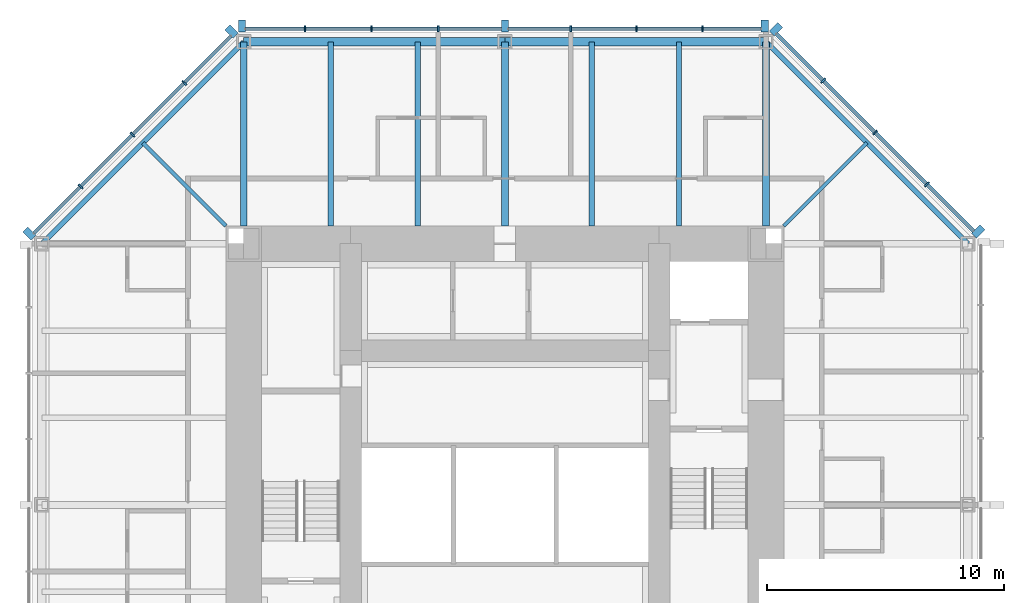
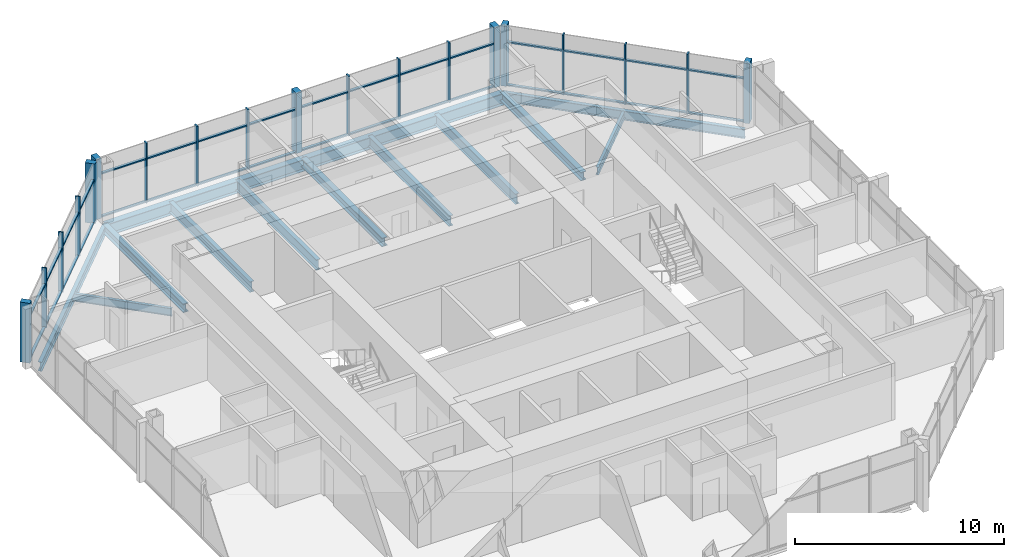
# One storey, part 5 of 11: 51 members, 13 beams, 3 elements without a shape of their own.
"""IFC4 building model written with IfcOpenShell, lengths in metres."""

from ifc_helpers import new_model, si_unit, direction, frame, origin, origin_2d, place, context, subcontext, project, spatial, rectangle, i_section, extrude, material, material_profile, profile_set, type_object, element, aggregate, save


model = new_model("IFC4")

# Units and contexts
model_context = context("Model", 3, precision=1e-05, world=origin(), true_north=direction((0.0, 1.0)))
body_context = subcontext(model_context, "Body", "Model", "MODEL_VIEW")
ifc_project = project(units=[si_unit("LENGTHUNIT", "METRE"), si_unit("AREAUNIT", "SQUARE_METRE"), si_unit("VOLUMEUNIT", "CUBIC_METRE"), si_unit("PLANEANGLEUNIT", "RADIAN"), si_unit("MASSUNIT", "GRAM", prefix="KILO")], contexts=[model_context])

# Site, building, storey
site_placement = place(None, origin())
site = spatial("IfcSite", under=ifc_project, at=site_placement, CompositionType="ELEMENT")
building_placement = place(site_placement, origin())
building = spatial("IfcBuilding", under=site, at=building_placement, Name="Trevanion Tower", CompositionType="ELEMENT")
storey_placement = place(building_placement, frame((0.0, 0.0, 215.199951171875)))
storey = spatial("IfcBuildingStorey", under=building, at=storey_placement, Name="L51", CompositionType="ELEMENT", Elevation=215.199951171875)

# Beams
ifc_material_1 = material(Name="Steel ASTM A992 Grade 50", Category="steel")
ifc_material_profile_1 = material_profile(ifc_material_1, i_section(OverallWidth=0.228271484375, OverallDepth=0.607177734375, WebThickness=0.01123046875, FlangeThickness=0.017333984375, at=origin_2d()), Name="W24X76")
ifc_profile_set_1 = profile_set([ifc_material_profile_1], Name="Steel ASTM A992 Grade 50")
beam_type_1 = type_object("IfcBeamType", Name="B11 W24X76", PredefinedType="BEAM", material=ifc_profile_set_1)
for number, where, z_axis, x_axis, name in (
    (1, (7.333251953125, 11.75, -0.493408203125), (0.0, 1.0, 0.0), (-1.0, 0.0, 0.0), "B11 L51"),
    (2, (3.666748046875, 11.75, -0.493408203125), (0.0, 1.0, 0.0), (-1.0, 0.0, 0.0), "B11 L51"),
    (3, (-3.666748046875, 11.75, -0.493408203125), (0.0, 1.0, 0.0), (-1.0, 0.0, 0.0), "B11 L51"),
    (4, (-7.333251953125, 11.75, -0.493408203125), (0.0, 1.0, 0.0), (-1.0, 0.0, 0.0), "B11 L51"),
):
    element("IfcBeam", number, at=place(storey_placement, frame(where, z_axis=z_axis, x_axis=x_axis)), inside=storey, type_object=beam_type_1, Name=name, PredefinedType="BEAM", context=body_context, shape_type="SweptSolid", body=[
        extrude(i_section(OverallWidth=0.228271484375, OverallDepth=0.607177734375, WebThickness=0.01123046875, FlangeThickness=0.017333984375, at=origin_2d()), origin(), (0.0, 0.0, 1.0), 7.75),
    ])
ifc_material_2 = material(Name="Steel ASTM A992 Grade 50", Category="steel")
ifc_material_profile_2 = material_profile(ifc_material_2, i_section(OverallWidth=0.15234375, OverallDepth=0.449462890625, WebThickness=0.007568359375, FlangeThickness=0.0107421875, at=origin_2d()), Name="W18X35")
ifc_profile_set_2 = profile_set([ifc_material_profile_2], Name="Steel ASTM A992 Grade 50")
beam_type_2 = type_object("IfcBeamType", Name="B12 W18X35", PredefinedType="BEAM", material=ifc_profile_set_2)
for number, where, z_axis, x_axis, name in (
    (5, (11.75, 11.75, -0.414794921875), (0.707106781187, 0.707106781187, 0.0), (-0.707106781187, 0.707106781187, 0.0), "B12 L51"),
    (6, (-11.75, 11.75, -0.414794921875), (-0.707106781187, 0.707106781187, 0.0), (-0.707106781187, -0.707106781187, 0.0), "B12 L51"),
):
    element("IfcBeam", number, at=place(storey_placement, frame(where, z_axis=z_axis, x_axis=x_axis)), inside=storey, type_object=beam_type_2, Name=name, PredefinedType="BEAM", context=body_context, shape_type="SweptSolid", body=[
        extrude(i_section(OverallWidth=0.15234375, OverallDepth=0.449462890625, WebThickness=0.007568359375, FlangeThickness=0.0107421875, at=origin_2d()), origin(), (0.0, 0.0, 1.0), 4.94970703125),
    ])

# Curtain wall, members
ifc_material_3 = material(Name="Aluminium and glass", Category="aluminium")
curtain_wall_type = type_object("IfcCurtainWallType", Name="CW3 curtain wall", PredefinedType="USERDEFINED", material=ifc_material_3)
curtain_wall_1_placement = place(storey_placement, origin())
curtain_wall_1 = element("IfcCurtainWall", 7, at=curtain_wall_1_placement, inside=storey, type_object=curtain_wall_type, Name="CW3 L51 1", ObjectType="UNITISED CURTAIN WALL", PredefinedType="USERDEFINED")
ifc_material_4 = material(Name="Aluminium extrusion, anodised bronze", Category="aluminium")
ifc_material_profile_3 = material_profile(ifc_material_4, rectangle(XDim=0.074951171875, YDim=0.25, at=origin_2d()), Name="CW3 mullion")
ifc_profile_set_3 = profile_set([ifc_material_profile_3], Name="Aluminium extrusion, anodised bronze")
member_type_1 = type_object("IfcMemberType", Name="CW3 mullion", PredefinedType="MULLION", material=ifc_profile_set_3)
member_1_placement = place(storey_placement, frame((17.775390625, 13.502197265625, -0.18994140625), z_axis=(0.0, 0.0, 1.0), x_axis=(-0.707106781187, 0.707106781187, 0.0)))
member_1 = element("IfcMember", 8, at=member_1_placement, type_object=member_type_1, Name="CW3 mullion 2", PredefinedType="MULLION", context=body_context, shape_type="SweptSolid", body=[
    extrude(rectangle(XDim=0.074951171875, YDim=0.25, at=origin_2d()), origin(), (0.0, 0.0, 1.0), 3.5),
])
member_2_placement = place(storey_placement, frame((15.593017578125, 15.684814453125, -0.18994140625), z_axis=(0.0, 0.0, 1.0), x_axis=(-0.707106781187, 0.707106781187, 0.0)))
member_2 = element("IfcMember", 9, at=member_2_placement, type_object=member_type_1, Name="CW3 mullion 3", PredefinedType="MULLION", context=body_context, shape_type="SweptSolid", body=[
    extrude(rectangle(XDim=0.074951171875, YDim=0.25, at=origin_2d()), origin(), (0.0, 0.0, 1.0), 3.5),
])
member_3_placement = place(storey_placement, frame((13.410400390625, 17.867431640625, -0.18994140625), z_axis=(0.0, 0.0, 1.0), x_axis=(-0.707106781187, 0.707106781187, 0.0)))
member_3 = element("IfcMember", 10, at=member_3_placement, type_object=member_type_1, Name="CW3 mullion 4", PredefinedType="MULLION", context=body_context, shape_type="SweptSolid", body=[
    extrude(rectangle(XDim=0.074951171875, YDim=0.25, at=origin_2d()), origin(), (0.0, 0.0, 1.0), 3.5),
])

curtain_wall_2_placement = place(storey_placement, origin())
curtain_wall_2 = element("IfcCurtainWall", 11, at=curtain_wall_2_placement, inside=storey, type_object=curtain_wall_type, Name="CW3 L51 2", ObjectType="UNITISED CURTAIN WALL", PredefinedType="USERDEFINED")
member_4_placement = place(storey_placement, frame((8.323486328125, 20.050048828125, -0.18994140625), z_axis=(0.0, 0.0, 1.0), x_axis=(-1.0, 0.0, 0.0)))
member_4 = element("IfcMember", 12, at=member_4_placement, type_object=member_type_1, Name="CW3 mullion 2", PredefinedType="MULLION", context=body_context, shape_type="SweptSolid", body=[
    extrude(rectangle(XDim=0.074951171875, YDim=0.25, at=origin_2d()), origin(), (0.0, 0.0, 1.0), 3.5),
])
member_5_placement = place(storey_placement, frame((5.548828125, 20.050048828125, -0.18994140625), z_axis=(0.0, 0.0, 1.0), x_axis=(-1.0, 0.0, 0.0)))
member_5 = element("IfcMember", 13, at=member_5_placement, type_object=member_type_1, Name="CW3 mullion 3", PredefinedType="MULLION", context=body_context, shape_type="SweptSolid", body=[
    extrude(rectangle(XDim=0.074951171875, YDim=0.25, at=origin_2d()), origin(), (0.0, 0.0, 1.0), 3.5),
])
member_6_placement = place(storey_placement, frame((2.7744140625, 20.050048828125, -0.18994140625), z_axis=(0.0, 0.0, 1.0), x_axis=(-1.0, 0.0, 0.0)))
member_6 = element("IfcMember", 14, at=member_6_placement, type_object=member_type_1, Name="CW3 mullion 4", PredefinedType="MULLION", context=body_context, shape_type="SweptSolid", body=[
    extrude(rectangle(XDim=0.074951171875, YDim=0.25, at=origin_2d()), origin(), (0.0, 0.0, 1.0), 3.5),
])
member_7_placement = place(storey_placement, frame((-2.806884765625, 20.050048828125, -0.18994140625), z_axis=(0.0, 0.0, 1.0), x_axis=(-1.0, 0.0, 0.0)))
member_7 = element("IfcMember", 15, at=member_7_placement, type_object=member_type_1, Name="CW3 mullion 6", PredefinedType="MULLION", context=body_context, shape_type="SweptSolid", body=[
    extrude(rectangle(XDim=0.074951171875, YDim=0.25, at=origin_2d()), origin(), (0.0, 0.0, 1.0), 3.5),
])
member_8_placement = place(storey_placement, frame((-5.614013671875, 20.050048828125, -0.18994140625), z_axis=(0.0, 0.0, 1.0), x_axis=(-1.0, 0.0, 0.0)))
member_8 = element("IfcMember", 16, at=member_8_placement, type_object=member_type_1, Name="CW3 mullion 7", PredefinedType="MULLION", context=body_context, shape_type="SweptSolid", body=[
    extrude(rectangle(XDim=0.074951171875, YDim=0.25, at=origin_2d()), origin(), (0.0, 0.0, 1.0), 3.5),
])
member_9_placement = place(storey_placement, frame((-8.4208984375, 20.050048828125, -0.18994140625), z_axis=(0.0, 0.0, 1.0), x_axis=(-1.0, 0.0, 0.0)))
member_9 = element("IfcMember", 17, at=member_9_placement, type_object=member_type_1, Name="CW3 mullion 8", PredefinedType="MULLION", context=body_context, shape_type="SweptSolid", body=[
    extrude(rectangle(XDim=0.074951171875, YDim=0.25, at=origin_2d()), origin(), (0.0, 0.0, 1.0), 3.5),
])

curtain_wall_3_placement = place(storey_placement, origin())
curtain_wall_3 = element("IfcCurtainWall", 18, at=curtain_wall_3_placement, inside=storey, type_object=curtain_wall_type, Name="CW3 L51 3", ObjectType="UNITISED CURTAIN WALL", PredefinedType="USERDEFINED")
member_10_placement = place(storey_placement, frame((-13.502197265625, 17.775390625, -0.18994140625), z_axis=(0.0, 0.0, 1.0), x_axis=(-0.707106781187, -0.707106781187, 0.0)))
member_10 = element("IfcMember", 19, at=member_10_placement, type_object=member_type_1, Name="CW3 mullion 2", PredefinedType="MULLION", context=body_context, shape_type="SweptSolid", body=[
    extrude(rectangle(XDim=0.074951171875, YDim=0.25, at=origin_2d()), origin(), (0.0, 0.0, 1.0), 3.5),
])
member_11_placement = place(storey_placement, frame((-15.684814453125, 15.593017578125, -0.18994140625), z_axis=(0.0, 0.0, 1.0), x_axis=(-0.707106781187, -0.707106781187, 0.0)))
member_11 = element("IfcMember", 20, at=member_11_placement, type_object=member_type_1, Name="CW3 mullion 3", PredefinedType="MULLION", context=body_context, shape_type="SweptSolid", body=[
    extrude(rectangle(XDim=0.074951171875, YDim=0.25, at=origin_2d()), origin(), (0.0, 0.0, 1.0), 3.5),
])
member_12_placement = place(storey_placement, frame((-17.867431640625, 13.410400390625, -0.18994140625), z_axis=(0.0, 0.0, 1.0), x_axis=(-0.707106781187, -0.707106781187, 0.0)))
member_12 = element("IfcMember", 21, at=member_12_placement, type_object=member_type_1, Name="CW3 mullion 4", PredefinedType="MULLION", context=body_context, shape_type="SweptSolid", body=[
    extrude(rectangle(XDim=0.074951171875, YDim=0.25, at=origin_2d()), origin(), (0.0, 0.0, 1.0), 3.5),
])

# Member
ifc_material_5 = material(Name="Aluminium extrusion, anodised bronze", Category="aluminium")
ifc_material_profile_4 = material_profile(ifc_material_5, rectangle(XDim=0.300048828125, YDim=0.5, at=origin_2d()), Name="CW3 pier mullion")
ifc_profile_set_4 = profile_set([ifc_material_profile_4], Name="Aluminium extrusion, anodised bronze")
member_type_2 = type_object("IfcMemberType", Name="CW3 pier mullion", PredefinedType="MULLION", material=ifc_profile_set_4)
member_13_placement = place(storey_placement, frame((19.9404296875, 11.51416015625, -0.18994140625), z_axis=(0.0, 0.0, 1.0), x_axis=(-0.707106781187, 0.707106781187, 0.0)))
member_13 = element("IfcMember", 22, at=member_13_placement, type_object=member_type_2, Name="CW3 pier mullion 1", PredefinedType="MULLION", context=body_context, shape_type="SweptSolid", body=[
    extrude(rectangle(XDim=0.300048828125, YDim=0.5, at=origin_2d()), origin(), (0.0, 0.0, 1.0), 3.5),
])

member_14_placement = place(storey_placement, frame((11.42236328125, 20.0322265625, -0.18994140625), z_axis=(0.0, 0.0, 1.0), x_axis=(-0.707106781187, 0.707106781187, 0.0)))
member_14 = element("IfcMember", 23, at=member_14_placement, type_object=member_type_2, Name="CW3 pier mullion 5", PredefinedType="MULLION", context=body_context, shape_type="SweptSolid", body=[
    extrude(rectangle(XDim=0.300048828125, YDim=0.5, at=origin_2d()), origin(), (0.0, 0.0, 1.0), 3.5),
])

member_15_placement = place(storey_placement, frame((10.94775390625, 20.175048828125, -0.18994140625), z_axis=(0.0, 0.0, 1.0), x_axis=(-1.0, 0.0, 0.0)))
member_15 = element("IfcMember", 24, at=member_15_placement, type_object=member_type_2, Name="CW3 pier mullion 1", PredefinedType="MULLION", context=body_context, shape_type="SweptSolid", body=[
    extrude(rectangle(XDim=0.300048828125, YDim=0.5, at=origin_2d()), origin(), (0.0, 0.0, 1.0), 3.5),
])

member_16_placement = place(storey_placement, frame((0.0, 20.175048828125, -0.18994140625), z_axis=(0.0, 0.0, 1.0), x_axis=(-1.0, 0.0, 0.0)))
member_16 = element("IfcMember", 25, at=member_16_placement, type_object=member_type_2, Name="CW3 pier mullion 5", PredefinedType="MULLION", context=body_context, shape_type="SweptSolid", body=[
    extrude(rectangle(XDim=0.300048828125, YDim=0.5, at=origin_2d()), origin(), (0.0, 0.0, 1.0), 3.5),
])

member_17_placement = place(storey_placement, frame((-11.077880859375, 20.175048828125, -0.18994140625), z_axis=(0.0, 0.0, 1.0), x_axis=(-1.0, 0.0, 0.0)))
member_17 = element("IfcMember", 26, at=member_17_placement, type_object=member_type_2, Name="CW3 pier mullion 9", PredefinedType="MULLION", context=body_context, shape_type="SweptSolid", body=[
    extrude(rectangle(XDim=0.300048828125, YDim=0.5, at=origin_2d()), origin(), (0.0, 0.0, 1.0), 3.5),
])

member_18_placement = place(storey_placement, frame((-11.51416015625, 19.9404296875, -0.18994140625), z_axis=(0.0, 0.0, 1.0), x_axis=(-0.707106781187, -0.707106781187, 0.0)))
member_18 = element("IfcMember", 27, at=member_18_placement, type_object=member_type_2, Name="CW3 pier mullion 1", PredefinedType="MULLION", context=body_context, shape_type="SweptSolid", body=[
    extrude(rectangle(XDim=0.300048828125, YDim=0.5, at=origin_2d()), origin(), (0.0, 0.0, 1.0), 3.5),
])

member_19_placement = place(storey_placement, frame((-20.0322265625, 11.42236328125, -0.18994140625), z_axis=(0.0, 0.0, 1.0), x_axis=(-0.707106781187, -0.707106781187, 0.0)))
member_19 = element("IfcMember", 28, at=member_19_placement, type_object=member_type_2, Name="CW3 pier mullion 5", PredefinedType="MULLION", context=body_context, shape_type="SweptSolid", body=[
    extrude(rectangle(XDim=0.300048828125, YDim=0.5, at=origin_2d()), origin(), (0.0, 0.0, 1.0), 3.5),
])

ifc_material_6 = material(Name="Aluminium extrusion, anodised bronze", Category="aluminium")
ifc_material_profile_5 = material_profile(ifc_material_6, rectangle(XDim=0.14990234375, YDim=0.074951171875, at=origin_2d()), Name="CW3 transom")
ifc_profile_set_5 = profile_set([ifc_material_profile_5], Name="Aluminium extrusion, anodised bronze")
member_type_3 = type_object("IfcMemberType", Name="CW3 transom", PredefinedType="USERDEFINED", material=ifc_profile_set_5)
member_20_placement = place(storey_placement, frame((19.745849609375, 11.531982421875, -0.15234375), z_axis=(-0.707106781187, 0.707106781187, 0.0), x_axis=(-0.707106781187, -0.707106781187, 0.0)))
member_20 = element("IfcMember", 29, at=member_20_placement, type_object=member_type_3, Name="CW3 transom 1.1", ObjectType="TRANSOM", PredefinedType="USERDEFINED", context=body_context, shape_type="SweptSolid", body=[
    extrude(rectangle(XDim=0.14990234375, YDim=0.074951171875, at=origin_2d()), origin(), (0.0, 0.0, 1.0), 2.7490234375),
])

member_21_placement = place(storey_placement, frame((19.745849609375, 11.531982421875, 2.360107421875), z_axis=(-0.707106781187, 0.707106781187, 0.0), x_axis=(-0.707106781187, -0.707106781187, 0.0)))
member_21 = element("IfcMember", 30, at=member_21_placement, type_object=member_type_3, Name="CW3 transom 1.2", ObjectType="TRANSOM", PredefinedType="USERDEFINED", context=body_context, shape_type="SweptSolid", body=[
    extrude(rectangle(XDim=0.14990234375, YDim=0.074951171875, at=origin_2d()), origin(), (0.0, 0.0, 1.0), 2.7490234375),
])

member_22_placement = place(storey_placement, frame((17.7490234375, 13.52880859375, -0.15234375), z_axis=(-0.707106781187, 0.707106781187, 0.0), x_axis=(-0.707106781187, -0.707106781187, 0.0)))
member_22 = element("IfcMember", 31, at=member_22_placement, type_object=member_type_3, Name="CW3 transom 2.1", ObjectType="TRANSOM", PredefinedType="USERDEFINED", context=body_context, shape_type="SweptSolid", body=[
    extrude(rectangle(XDim=0.14990234375, YDim=0.074951171875, at=origin_2d()), origin(), (0.0, 0.0, 1.0), 3.01171875),
])

member_23_placement = place(storey_placement, frame((17.7490234375, 13.52880859375, 2.360107421875), z_axis=(-0.707106781187, 0.707106781187, 0.0), x_axis=(-0.707106781187, -0.707106781187, 0.0)))
member_23 = element("IfcMember", 32, at=member_23_placement, type_object=member_type_3, Name="CW3 transom 2.2", ObjectType="TRANSOM", PredefinedType="USERDEFINED", context=body_context, shape_type="SweptSolid", body=[
    extrude(rectangle(XDim=0.14990234375, YDim=0.074951171875, at=origin_2d()), origin(), (0.0, 0.0, 1.0), 3.01171875),
])

member_24_placement = place(storey_placement, frame((15.56640625, 15.71142578125, -0.15234375), z_axis=(-0.707106781187, 0.707106781187, 0.0), x_axis=(-0.707106781187, -0.707106781187, 0.0)))
member_24 = element("IfcMember", 33, at=member_24_placement, type_object=member_type_3, Name="CW3 transom 3.1", ObjectType="TRANSOM", PredefinedType="USERDEFINED", context=body_context, shape_type="SweptSolid", body=[
    extrude(rectangle(XDim=0.14990234375, YDim=0.074951171875, at=origin_2d()), origin(), (0.0, 0.0, 1.0), 3.011474609375),
])

member_25_placement = place(storey_placement, frame((15.56640625, 15.71142578125, 2.360107421875), z_axis=(-0.707106781187, 0.707106781187, 0.0), x_axis=(-0.707106781187, -0.707106781187, 0.0)))
member_25 = element("IfcMember", 34, at=member_25_placement, type_object=member_type_3, Name="CW3 transom 3.2", ObjectType="TRANSOM", PredefinedType="USERDEFINED", context=body_context, shape_type="SweptSolid", body=[
    extrude(rectangle(XDim=0.14990234375, YDim=0.074951171875, at=origin_2d()), origin(), (0.0, 0.0, 1.0), 3.011474609375),
])

member_26_placement = place(storey_placement, frame((13.3837890625, 17.89404296875, -0.15234375), z_axis=(-0.707106781187, 0.707106781187, 0.0), x_axis=(-0.707106781187, -0.707106781187, 0.0)))
member_26 = element("IfcMember", 35, at=member_26_placement, type_object=member_type_3, Name="CW3 transom 4.1", ObjectType="TRANSOM", PredefinedType="USERDEFINED", context=body_context, shape_type="SweptSolid", body=[
    extrude(rectangle(XDim=0.14990234375, YDim=0.074951171875, at=origin_2d()), origin(), (0.0, 0.0, 1.0), 2.7490234375),
])

member_27_placement = place(storey_placement, frame((13.3837890625, 17.89404296875, 2.360107421875), z_axis=(-0.707106781187, 0.707106781187, 0.0), x_axis=(-0.707106781187, -0.707106781187, 0.0)))
member_27 = element("IfcMember", 36, at=member_27_placement, type_object=member_type_3, Name="CW3 transom 4.2", ObjectType="TRANSOM", PredefinedType="USERDEFINED", context=body_context, shape_type="SweptSolid", body=[
    extrude(rectangle(XDim=0.14990234375, YDim=0.074951171875, at=origin_2d()), origin(), (0.0, 0.0, 1.0), 2.7490234375),
])

aggregate(curtain_wall_1, [member_13, member_1, member_2, member_3, member_14, member_20, member_21, member_22, member_23, member_24, member_25, member_26, member_27])

member_28_placement = place(storey_placement, frame((10.7978515625, 20.050048828125, -0.15234375), z_axis=(-1.0, 0.0, 0.0), x_axis=(0.0, -1.0, 0.0)))
member_28 = element("IfcMember", 37, at=member_28_placement, type_object=member_type_3, Name="CW3 transom 1.1", ObjectType="TRANSOM", PredefinedType="USERDEFINED", context=body_context, shape_type="SweptSolid", body=[
    extrude(rectangle(XDim=0.14990234375, YDim=0.074951171875, at=origin_2d()), origin(), (0.0, 0.0, 1.0), 2.43701171875),
])

member_29_placement = place(storey_placement, frame((10.7978515625, 20.050048828125, 2.360107421875), z_axis=(-1.0, 0.0, 0.0), x_axis=(0.0, -1.0, 0.0)))
member_29 = element("IfcMember", 38, at=member_29_placement, type_object=member_type_3, Name="CW3 transom 1.2", ObjectType="TRANSOM", PredefinedType="USERDEFINED", context=body_context, shape_type="SweptSolid", body=[
    extrude(rectangle(XDim=0.14990234375, YDim=0.074951171875, at=origin_2d()), origin(), (0.0, 0.0, 1.0), 2.43701171875),
])

member_30_placement = place(storey_placement, frame((8.285888671875, 20.050048828125, -0.15234375), z_axis=(-1.0, 0.0, 0.0), x_axis=(0.0, -1.0, 0.0)))
member_30 = element("IfcMember", 39, at=member_30_placement, type_object=member_type_3, Name="CW3 transom 2.1", ObjectType="TRANSOM", PredefinedType="USERDEFINED", context=body_context, shape_type="SweptSolid", body=[
    extrude(rectangle(XDim=0.14990234375, YDim=0.074951171875, at=origin_2d()), origin(), (0.0, 0.0, 1.0), 2.699462890625),
])

member_31_placement = place(storey_placement, frame((8.285888671875, 20.050048828125, 2.360107421875), z_axis=(-1.0, 0.0, 0.0), x_axis=(0.0, -1.0, 0.0)))
member_31 = element("IfcMember", 40, at=member_31_placement, type_object=member_type_3, Name="CW3 transom 2.2", ObjectType="TRANSOM", PredefinedType="USERDEFINED", context=body_context, shape_type="SweptSolid", body=[
    extrude(rectangle(XDim=0.14990234375, YDim=0.074951171875, at=origin_2d()), origin(), (0.0, 0.0, 1.0), 2.699462890625),
])

member_32_placement = place(storey_placement, frame((5.511474609375, 20.050048828125, -0.15234375), z_axis=(-1.0, 0.0, 0.0), x_axis=(0.0, -1.0, 0.0)))
member_32 = element("IfcMember", 41, at=member_32_placement, type_object=member_type_3, Name="CW3 transom 3.1", ObjectType="TRANSOM", PredefinedType="USERDEFINED", context=body_context, shape_type="SweptSolid", body=[
    extrude(rectangle(XDim=0.14990234375, YDim=0.074951171875, at=origin_2d()), origin(), (0.0, 0.0, 1.0), 2.699462890625),
])

member_33_placement = place(storey_placement, frame((5.511474609375, 20.050048828125, 2.360107421875), z_axis=(-1.0, 0.0, 0.0), x_axis=(0.0, -1.0, 0.0)))
member_33 = element("IfcMember", 42, at=member_33_placement, type_object=member_type_3, Name="CW3 transom 3.2", ObjectType="TRANSOM", PredefinedType="USERDEFINED", context=body_context, shape_type="SweptSolid", body=[
    extrude(rectangle(XDim=0.14990234375, YDim=0.074951171875, at=origin_2d()), origin(), (0.0, 0.0, 1.0), 2.699462890625),
])

member_34_placement = place(storey_placement, frame((2.737060546875, 20.050048828125, -0.15234375), z_axis=(-1.0, 0.0, 0.0), x_axis=(0.0, -1.0, 0.0)))
member_34 = element("IfcMember", 43, at=member_34_placement, type_object=member_type_3, Name="CW3 transom 4.1", ObjectType="TRANSOM", PredefinedType="USERDEFINED", context=body_context, shape_type="SweptSolid", body=[
    extrude(rectangle(XDim=0.14990234375, YDim=0.074951171875, at=origin_2d()), origin(), (0.0, 0.0, 1.0), 2.587158203125),
])

member_35_placement = place(storey_placement, frame((2.737060546875, 20.050048828125, 2.360107421875), z_axis=(-1.0, 0.0, 0.0), x_axis=(0.0, -1.0, 0.0)))
member_35 = element("IfcMember", 44, at=member_35_placement, type_object=member_type_3, Name="CW3 transom 4.2", ObjectType="TRANSOM", PredefinedType="USERDEFINED", context=body_context, shape_type="SweptSolid", body=[
    extrude(rectangle(XDim=0.14990234375, YDim=0.074951171875, at=origin_2d()), origin(), (0.0, 0.0, 1.0), 2.587158203125),
])

member_36_placement = place(storey_placement, frame((-0.14990234375, 20.050048828125, -0.15234375), z_axis=(-1.0, 0.0, 0.0), x_axis=(0.0, -1.0, 0.0)))
member_36 = element("IfcMember", 45, at=member_36_placement, type_object=member_type_3, Name="CW3 transom 5.1", ObjectType="TRANSOM", PredefinedType="USERDEFINED", context=body_context, shape_type="SweptSolid", body=[
    extrude(rectangle(XDim=0.14990234375, YDim=0.074951171875, at=origin_2d()), origin(), (0.0, 0.0, 1.0), 2.619384765625),
])

member_37_placement = place(storey_placement, frame((-0.14990234375, 20.050048828125, 2.360107421875), z_axis=(-1.0, 0.0, 0.0), x_axis=(0.0, -1.0, 0.0)))
member_37 = element("IfcMember", 46, at=member_37_placement, type_object=member_type_3, Name="CW3 transom 5.2", ObjectType="TRANSOM", PredefinedType="USERDEFINED", context=body_context, shape_type="SweptSolid", body=[
    extrude(rectangle(XDim=0.14990234375, YDim=0.074951171875, at=origin_2d()), origin(), (0.0, 0.0, 1.0), 2.619384765625),
])

member_38_placement = place(storey_placement, frame((-2.844482421875, 20.050048828125, -0.15234375), z_axis=(-1.0, 0.0, 0.0), x_axis=(0.0, -1.0, 0.0)))
member_38 = element("IfcMember", 47, at=member_38_placement, type_object=member_type_3, Name="CW3 transom 6.1", ObjectType="TRANSOM", PredefinedType="USERDEFINED", context=body_context, shape_type="SweptSolid", body=[
    extrude(rectangle(XDim=0.14990234375, YDim=0.074951171875, at=origin_2d()), origin(), (0.0, 0.0, 1.0), 2.73193359375),
])

member_39_placement = place(storey_placement, frame((-2.844482421875, 20.050048828125, 2.360107421875), z_axis=(-1.0, 0.0, 0.0), x_axis=(0.0, -1.0, 0.0)))
member_39 = element("IfcMember", 48, at=member_39_placement, type_object=member_type_3, Name="CW3 transom 6.2", ObjectType="TRANSOM", PredefinedType="USERDEFINED", context=body_context, shape_type="SweptSolid", body=[
    extrude(rectangle(XDim=0.14990234375, YDim=0.074951171875, at=origin_2d()), origin(), (0.0, 0.0, 1.0), 2.73193359375),
])

member_40_placement = place(storey_placement, frame((-5.6513671875, 20.050048828125, -0.15234375), z_axis=(-1.0, 0.0, 0.0), x_axis=(0.0, -1.0, 0.0)))
member_40 = element("IfcMember", 49, at=member_40_placement, type_object=member_type_3, Name="CW3 transom 7.1", ObjectType="TRANSOM", PredefinedType="USERDEFINED", context=body_context, shape_type="SweptSolid", body=[
    extrude(rectangle(XDim=0.14990234375, YDim=0.074951171875, at=origin_2d()), origin(), (0.0, 0.0, 1.0), 2.73193359375),
])

member_41_placement = place(storey_placement, frame((-5.6513671875, 20.050048828125, 2.360107421875), z_axis=(-1.0, 0.0, 0.0), x_axis=(0.0, -1.0, 0.0)))
member_41 = element("IfcMember", 50, at=member_41_placement, type_object=member_type_3, Name="CW3 transom 7.2", ObjectType="TRANSOM", PredefinedType="USERDEFINED", context=body_context, shape_type="SweptSolid", body=[
    extrude(rectangle(XDim=0.14990234375, YDim=0.074951171875, at=origin_2d()), origin(), (0.0, 0.0, 1.0), 2.73193359375),
])

member_42_placement = place(storey_placement, frame((-8.45849609375, 20.050048828125, -0.15234375), z_axis=(-1.0, 0.0, 0.0), x_axis=(0.0, -1.0, 0.0)))
member_42 = element("IfcMember", 51, at=member_42_placement, type_object=member_type_3, Name="CW3 transom 8.1", ObjectType="TRANSOM", PredefinedType="USERDEFINED", context=body_context, shape_type="SweptSolid", body=[
    extrude(rectangle(XDim=0.14990234375, YDim=0.074951171875, at=origin_2d()), origin(), (0.0, 0.0, 1.0), 2.46923828125),
])

member_43_placement = place(storey_placement, frame((-8.45849609375, 20.050048828125, 2.360107421875), z_axis=(-1.0, 0.0, 0.0), x_axis=(0.0, -1.0, 0.0)))
member_43 = element("IfcMember", 52, at=member_43_placement, type_object=member_type_3, Name="CW3 transom 8.2", ObjectType="TRANSOM", PredefinedType="USERDEFINED", context=body_context, shape_type="SweptSolid", body=[
    extrude(rectangle(XDim=0.14990234375, YDim=0.074951171875, at=origin_2d()), origin(), (0.0, 0.0, 1.0), 2.46923828125),
])

aggregate(curtain_wall_2, [member_15, member_4, member_5, member_6, member_16, member_7, member_8, member_9, member_17, member_28, member_29, member_30, member_31, member_32, member_33, member_34, member_35, member_36, member_37, member_38, member_39, member_40, member_41, member_42, member_43])

member_44_placement = place(storey_placement, frame((-11.531982421875, 19.745849609375, -0.15234375), z_axis=(-0.707106781187, -0.707106781187, 0.0), x_axis=(0.707106781187, -0.707106781187, 0.0)))
member_44 = element("IfcMember", 53, at=member_44_placement, type_object=member_type_3, Name="CW3 transom 1.1", ObjectType="TRANSOM", PredefinedType="USERDEFINED", context=body_context, shape_type="SweptSolid", body=[
    extrude(rectangle(XDim=0.14990234375, YDim=0.074951171875, at=origin_2d()), origin(), (0.0, 0.0, 1.0), 2.7490234375),
])

member_45_placement = place(storey_placement, frame((-11.531982421875, 19.745849609375, 2.360107421875), z_axis=(-0.707106781187, -0.707106781187, 0.0), x_axis=(0.707106781187, -0.707106781187, 0.0)))
member_45 = element("IfcMember", 54, at=member_45_placement, type_object=member_type_3, Name="CW3 transom 1.2", ObjectType="TRANSOM", PredefinedType="USERDEFINED", context=body_context, shape_type="SweptSolid", body=[
    extrude(rectangle(XDim=0.14990234375, YDim=0.074951171875, at=origin_2d()), origin(), (0.0, 0.0, 1.0), 2.7490234375),
])

member_46_placement = place(storey_placement, frame((-13.52880859375, 17.7490234375, -0.15234375), z_axis=(-0.707106781187, -0.707106781187, 0.0), x_axis=(0.707106781187, -0.707106781187, 0.0)))
member_46 = element("IfcMember", 55, at=member_46_placement, type_object=member_type_3, Name="CW3 transom 2.1", ObjectType="TRANSOM", PredefinedType="USERDEFINED", context=body_context, shape_type="SweptSolid", body=[
    extrude(rectangle(XDim=0.14990234375, YDim=0.074951171875, at=origin_2d()), origin(), (0.0, 0.0, 1.0), 3.01171875),
])

member_47_placement = place(storey_placement, frame((-13.52880859375, 17.7490234375, 2.360107421875), z_axis=(-0.707106781187, -0.707106781187, 0.0), x_axis=(0.707106781187, -0.707106781187, 0.0)))
member_47 = element("IfcMember", 56, at=member_47_placement, type_object=member_type_3, Name="CW3 transom 2.2", ObjectType="TRANSOM", PredefinedType="USERDEFINED", context=body_context, shape_type="SweptSolid", body=[
    extrude(rectangle(XDim=0.14990234375, YDim=0.074951171875, at=origin_2d()), origin(), (0.0, 0.0, 1.0), 3.01171875),
])

member_48_placement = place(storey_placement, frame((-15.71142578125, 15.56640625, -0.15234375), z_axis=(-0.707106781187, -0.707106781187, 0.0), x_axis=(0.707106781187, -0.707106781187, 0.0)))
member_48 = element("IfcMember", 57, at=member_48_placement, type_object=member_type_3, Name="CW3 transom 3.1", ObjectType="TRANSOM", PredefinedType="USERDEFINED", context=body_context, shape_type="SweptSolid", body=[
    extrude(rectangle(XDim=0.14990234375, YDim=0.074951171875, at=origin_2d()), origin(), (0.0, 0.0, 1.0), 3.011474609375),
])

member_49_placement = place(storey_placement, frame((-15.71142578125, 15.56640625, 2.360107421875), z_axis=(-0.707106781187, -0.707106781187, 0.0), x_axis=(0.707106781187, -0.707106781187, 0.0)))
member_49 = element("IfcMember", 58, at=member_49_placement, type_object=member_type_3, Name="CW3 transom 3.2", ObjectType="TRANSOM", PredefinedType="USERDEFINED", context=body_context, shape_type="SweptSolid", body=[
    extrude(rectangle(XDim=0.14990234375, YDim=0.074951171875, at=origin_2d()), origin(), (0.0, 0.0, 1.0), 3.011474609375),
])

member_50_placement = place(storey_placement, frame((-17.89404296875, 13.3837890625, -0.15234375), z_axis=(-0.707106781187, -0.707106781187, 0.0), x_axis=(0.707106781187, -0.707106781187, 0.0)))
member_50 = element("IfcMember", 59, at=member_50_placement, type_object=member_type_3, Name="CW3 transom 4.1", ObjectType="TRANSOM", PredefinedType="USERDEFINED", context=body_context, shape_type="SweptSolid", body=[
    extrude(rectangle(XDim=0.14990234375, YDim=0.074951171875, at=origin_2d()), origin(), (0.0, 0.0, 1.0), 2.7490234375),
])

member_51_placement = place(storey_placement, frame((-17.89404296875, 13.3837890625, 2.360107421875), z_axis=(-0.707106781187, -0.707106781187, 0.0), x_axis=(0.707106781187, -0.707106781187, 0.0)))
member_51 = element("IfcMember", 60, at=member_51_placement, type_object=member_type_3, Name="CW3 transom 4.2", ObjectType="TRANSOM", PredefinedType="USERDEFINED", context=body_context, shape_type="SweptSolid", body=[
    extrude(rectangle(XDim=0.14990234375, YDim=0.074951171875, at=origin_2d()), origin(), (0.0, 0.0, 1.0), 2.7490234375),
])

aggregate(curtain_wall_3, [member_18, member_10, member_11, member_12, member_19, member_44, member_45, member_46, member_47, member_48, member_49, member_50, member_51])

# Beams
ifc_material_7 = material(Name="Steel ASTM A992 Grade 50", Category="steel")
ifc_material_profile_6 = material_profile(ifc_material_7, i_section(OverallWidth=0.28955078125, OverallDepth=0.508056640625, WebThickness=0.022705078125, FlangeThickness=0.040283203125, at=origin_2d()), Name="W18X175")
ifc_profile_set_6 = profile_set([ifc_material_profile_6], Name="Steel ASTM A992 Grade 50")
beam_type_3 = type_object("IfcBeamType", Name="G6 W18X175", PredefinedType="BEAM", material=ifc_profile_set_6)
for number, where, z_axis, x_axis, name in (
    (61, (11.0, 11.75, -0.44384765625), (0.0, 1.0, 0.0), (-1.0, 0.0, 0.0), "G6 L51"),
    (62, (0.0, 11.75, -0.44384765625), (0.0, 1.0, 0.0), (-1.0, 0.0, 0.0), "G6 L51"),
    (63, (-11.0, 11.75, -0.44384765625), (0.0, 1.0, 0.0), (-1.0, 0.0, 0.0), "G6 L51"),
):
    element("IfcBeam", number, at=place(storey_placement, frame(where, z_axis=z_axis, x_axis=x_axis)), inside=storey, type_object=beam_type_3, Name=name, PredefinedType="BEAM", context=body_context, shape_type="SweptSolid", body=[
        extrude(i_section(OverallWidth=0.28955078125, OverallDepth=0.508056640625, WebThickness=0.022705078125, FlangeThickness=0.040283203125, at=origin_2d()), origin(), (0.0, 0.0, 1.0), 7.75),
    ])
ifc_material_8 = material(Name="Steel ASTM A992 Grade 50", Category="steel")
ifc_material_profile_7 = material_profile(ifc_material_8, i_section(OverallWidth=0.355712890625, OverallDepth=0.696044921875, WebThickness=0.015380859375, FlangeThickness=0.024658203125, at=origin_2d()), Name="W27X146")
ifc_profile_set_7 = profile_set([ifc_material_profile_7], Name="Steel ASTM A992 Grade 50")
beam_type_4 = type_object("IfcBeamType", Name="SB8 W27X146", PredefinedType="SPANDREL", material=ifc_profile_set_7)
for number, where, z_axis, x_axis, name in (
    (64, (11.0, 19.5, -0.537841796875), (-1.0, 0.0, 0.0), (0.0, -1.0, 0.0), "SB8 L51"),
    (65, (0.0, 19.5, -0.537841796875), (-1.0, 0.0, 0.0), (0.0, -1.0, 0.0), "SB8 L51"),
):
    element("IfcBeam", number, at=place(storey_placement, frame(where, z_axis=z_axis, x_axis=x_axis)), inside=storey, type_object=beam_type_4, Name=name, PredefinedType="SPANDREL", context=body_context, shape_type="SweptSolid", body=[
        extrude(i_section(OverallWidth=0.355712890625, OverallDepth=0.696044921875, WebThickness=0.015380859375, FlangeThickness=0.024658203125, at=origin_2d()), origin(), (0.0, 0.0, 1.0), 11.0),
    ])
ifc_material_9 = material(Name="Steel ASTM A992 Grade 50", Category="steel")
ifc_material_profile_8 = material_profile(ifc_material_9, i_section(OverallWidth=0.209228515625, OverallDepth=0.533447265625, WebThickness=0.01025390625, FlangeThickness=0.015625, at=origin_2d()), Name="W21X62")
ifc_profile_set_8 = profile_set([ifc_material_profile_8], Name="Steel ASTM A992 Grade 50")
beam_type_5 = type_object("IfcBeamType", Name="SB9 W21X62", PredefinedType="SPANDREL", material=ifc_profile_set_8)
for number, where, z_axis, x_axis, name in (
    (66, (19.5, 11.0, -0.45654296875), (-0.707106781187, 0.707106781187, 0.0), (-0.707106781187, -0.707106781187, 0.0), "SB9 L51"),
    (67, (-11.0, 19.5, -0.45654296875), (-0.707106781187, -0.707106781187, 0.0), (0.707106781187, -0.707106781187, 0.0), "SB9 L51"),
):
    element("IfcBeam", number, at=place(storey_placement, frame(where, z_axis=z_axis, x_axis=x_axis)), inside=storey, type_object=beam_type_5, Name=name, PredefinedType="SPANDREL", context=body_context, shape_type="SweptSolid", body=[
        extrude(i_section(OverallWidth=0.209228515625, OverallDepth=0.533447265625, WebThickness=0.01025390625, FlangeThickness=0.015625, at=origin_2d()), origin(), (0.0, 0.0, 1.0), 12.020751953125),
    ])

save(model, "model.ifc")
